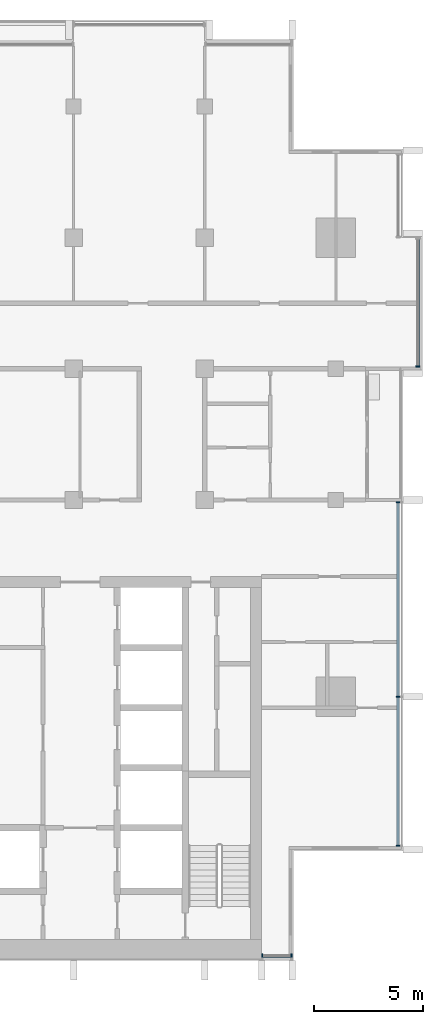
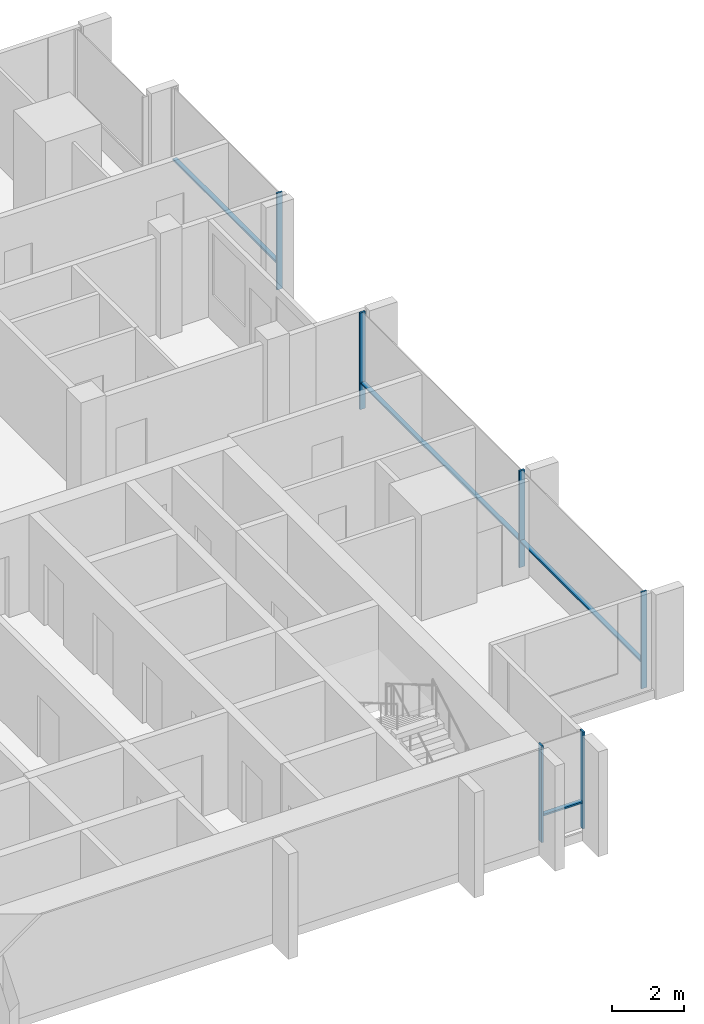
# One storey, part 3 of 15: 10 members, 3 elements without a shape of their own.
"""IFC4 building model written with IfcOpenShell, lengths in metres."""

from ifc_helpers import new_model, si_unit, direction, frame, origin, origin_2d, place, context, subcontext, project, spatial, rectangle, extrude, material, material_profile, profile_set, type_object, element, aggregate, save


model = new_model("IFC4")

# Units and contexts
model_context = context("Model", 3, precision=1e-05, world=origin(), true_north=direction((0.0, 1.0)))
body_context = subcontext(model_context, "Body", "Model", "MODEL_VIEW")
ifc_project = project(units=[si_unit("LENGTHUNIT", "METRE"), si_unit("AREAUNIT", "SQUARE_METRE"), si_unit("VOLUMEUNIT", "CUBIC_METRE"), si_unit("PLANEANGLEUNIT", "RADIAN"), si_unit("MASSUNIT", "GRAM", prefix="KILO")], contexts=[model_context])

# Site, building, storey
site_placement = place(None, origin())
site = spatial("IfcSite", under=ifc_project, at=site_placement, CompositionType="ELEMENT")
building_placement = place(site_placement, origin())
building = spatial("IfcBuilding", under=site, at=building_placement, Name="Finial Court Residences", CompositionType="ELEMENT")
storey_placement = place(building_placement, frame((0.0, 0.0, 269.89990234375)))
storey = spatial("IfcBuildingStorey", under=building, at=storey_placement, Name="L68", CompositionType="ELEMENT", Elevation=269.89990234375)

# Curtain wall, members
ifc_material = material(Name="Bronze anodised aluminium", Category="aluminium")
curtain_wall_type = type_object("IfcCurtainWallType", Name="Unitised curtain wall, upper zones", PredefinedType="NOTDEFINED", material=ifc_material)
curtain_wall_1_placement = place(storey_placement, origin())
curtain_wall_1 = element("IfcCurtainWall", 1, at=curtain_wall_1_placement, inside=storey, type_object=curtain_wall_type, Name="E-L68-CW-E5", PredefinedType="NOTDEFINED")
ifc_material_profile_1 = material_profile(ifc_material, rectangle(XDim=0.175048828125, YDim=0.06005859375, at=origin_2d()), Name="CW2 mullion 60 x 175")
ifc_profile_set_1 = profile_set([ifc_material_profile_1], Name="Bronze anodised aluminium")
member_type_1 = type_object("IfcMemberType", Name="CW2 mullion 60 x 175", PredefinedType="MULLION", material=ifc_profile_set_1)
member_1_placement = place(storey_placement, frame((19.35009765625, -20.320068359375, 0.0), z_axis=(0.0, 0.0, 1.0), x_axis=(-1.0, 0.0, 0.0)))
member_1 = element("IfcMember", 2, at=member_1_placement, type_object=member_type_1, Name="CW2 mullion 1", PredefinedType="MULLION", context=body_context, shape_type="SweptSolid", body=[
    extrude(rectangle(XDim=0.175048828125, YDim=0.06005859375, at=origin_2d()), origin(), (0.0, 0.0, 1.0), 3.300048828125),
])
member_2_placement = place(storey_placement, frame((19.35009765625, -13.5, 0.0), z_axis=(0.0, 0.0, 1.0), x_axis=(-1.0, 0.0, 0.0)))
member_2 = element("IfcMember", 3, at=member_2_placement, type_object=member_type_1, Name="CW2 mullion 2", PredefinedType="MULLION", context=body_context, shape_type="SweptSolid", body=[
    extrude(rectangle(XDim=0.175048828125, YDim=0.06005859375, at=origin_2d()), origin(), (0.0, 0.0, 1.0), 3.300048828125),
])
member_3_placement = place(storey_placement, frame((19.35009765625, -4.60498046875, 0.0), z_axis=(0.0, 0.0, 1.0), x_axis=(-1.0, 0.0, 0.0)))
member_3 = element("IfcMember", 4, at=member_3_placement, type_object=member_type_1, Name="CW2 mullion 3", PredefinedType="MULLION", context=body_context, shape_type="SweptSolid", body=[
    extrude(rectangle(XDim=0.175048828125, YDim=0.06005859375, at=origin_2d()), origin(), (0.0, 0.0, 1.0), 3.300048828125),
])

# Curtain wall, member
curtain_wall_2_placement = place(storey_placement, origin())
curtain_wall_2 = element("IfcCurtainWall", 5, at=curtain_wall_2_placement, inside=storey, type_object=curtain_wall_type, Name="E-L68-CW-E6", PredefinedType="NOTDEFINED")
member_4_placement = place(storey_placement, frame((20.25, 1.60498046875, 0.0), z_axis=(0.0, 0.0, 1.0), x_axis=(-1.0, 0.0, 0.0)))
member_4 = element("IfcMember", 6, at=member_4_placement, type_object=member_type_1, Name="CW2 mullion 1", PredefinedType="MULLION", context=body_context, shape_type="SweptSolid", body=[
    extrude(rectangle(XDim=0.175048828125, YDim=0.06005859375, at=origin_2d()), origin(), (0.0, 0.0, 1.0), 3.300048828125),
])

# Curtain wall, members
curtain_wall_3_placement = place(storey_placement, origin())
curtain_wall_3 = element("IfcCurtainWall", 7, at=curtain_wall_3_placement, inside=storey, type_object=curtain_wall_type, Name="E-L68-CW-S9", PredefinedType="NOTDEFINED")
member_5_placement = place(storey_placement, frame((13.1298828125, -25.35009765625, 0.0), z_axis=(0.0, 0.0, 1.0), x_axis=(0.0, 1.0, 0.0)))
member_5 = element("IfcMember", 8, at=member_5_placement, type_object=member_type_1, Name="CW2 mullion 1", PredefinedType="MULLION", context=body_context, shape_type="SweptSolid", body=[
    extrude(rectangle(XDim=0.175048828125, YDim=0.06005859375, at=origin_2d()), origin(), (0.0, 0.0, 1.0), 3.300048828125),
])
member_6_placement = place(storey_placement, frame((14.469970703125, -25.35009765625, 0.0), z_axis=(0.0, 0.0, 1.0), x_axis=(0.0, 1.0, 0.0)))
member_6 = element("IfcMember", 9, at=member_6_placement, type_object=member_type_1, Name="CW2 mullion 2", PredefinedType="MULLION", context=body_context, shape_type="SweptSolid", body=[
    extrude(rectangle(XDim=0.175048828125, YDim=0.06005859375, at=origin_2d()), origin(), (0.0, 0.0, 1.0), 3.300048828125),
])

# Member
ifc_material_profile_2 = material_profile(ifc_material, rectangle(XDim=0.139892578125, YDim=0.06005859375, at=origin_2d()), Name="CW2 transom 60 x 140")
ifc_profile_set_2 = profile_set([ifc_material_profile_2], Name="Bronze anodised aluminium")
member_type_2 = type_object("IfcMemberType", Name="CW2 transom 60 x 140", PredefinedType="USERDEFINED", material=ifc_profile_set_2)
member_7_placement = place(storey_placement, frame((19.35009765625, -20.2900390625, 0.900146484375), z_axis=(0.0, 1.0, 0.0), x_axis=(-1.0, 0.0, 0.0)))
member_7 = element("IfcMember", 10, at=member_7_placement, type_object=member_type_2, Name="CW2 transom 1.1", ObjectType="TRANSOM", PredefinedType="USERDEFINED", context=body_context, shape_type="SweptSolid", body=[
    extrude(rectangle(XDim=0.139892578125, YDim=0.06005859375, at=origin_2d()), origin(), (0.0, 0.0, 1.0), 6.760009765625),
])

member_8_placement = place(storey_placement, frame((19.35009765625, -13.469970703125, 0.900146484375), z_axis=(0.0, 1.0, 0.0), x_axis=(-1.0, 0.0, 0.0)))
member_8 = element("IfcMember", 11, at=member_8_placement, type_object=member_type_2, Name="CW2 transom 2.1", ObjectType="TRANSOM", PredefinedType="USERDEFINED", context=body_context, shape_type="SweptSolid", body=[
    extrude(rectangle(XDim=0.139892578125, YDim=0.06005859375, at=origin_2d()), origin(), (0.0, 0.0, 1.0), 8.8349609375),
])

aggregate(curtain_wall_1, [member_1, member_2, member_3, member_7, member_8])

member_9_placement = place(storey_placement, frame((20.25, 1.635009765625, 0.900146484375), z_axis=(0.0, 1.0, 0.0), x_axis=(-1.0, 0.0, 0.0)))
member_9 = element("IfcMember", 12, at=member_9_placement, type_object=member_type_2, Name="CW2 transom 1.1", ObjectType="TRANSOM", PredefinedType="USERDEFINED", context=body_context, shape_type="SweptSolid", body=[
    extrude(rectangle(XDim=0.139892578125, YDim=0.06005859375, at=origin_2d()), origin(), (0.0, 0.0, 1.0), 5.804931640625),
])

aggregate(curtain_wall_2, [member_4, member_9])

member_10_placement = place(storey_placement, frame((13.159912109375, -25.35009765625, 0.900146484375), z_axis=(1.0, 0.0, 0.0), x_axis=(0.0, 1.0, 0.0)))
member_10 = element("IfcMember", 13, at=member_10_placement, type_object=member_type_2, Name="CW2 transom 1.1", ObjectType="TRANSOM", PredefinedType="USERDEFINED", context=body_context, shape_type="SweptSolid", body=[
    extrude(rectangle(XDim=0.139892578125, YDim=0.06005859375, at=origin_2d()), origin(), (0.0, 0.0, 1.0), 1.280029296875),
])

aggregate(curtain_wall_3, [member_5, member_6, member_10])

save(model, "model.ifc")
